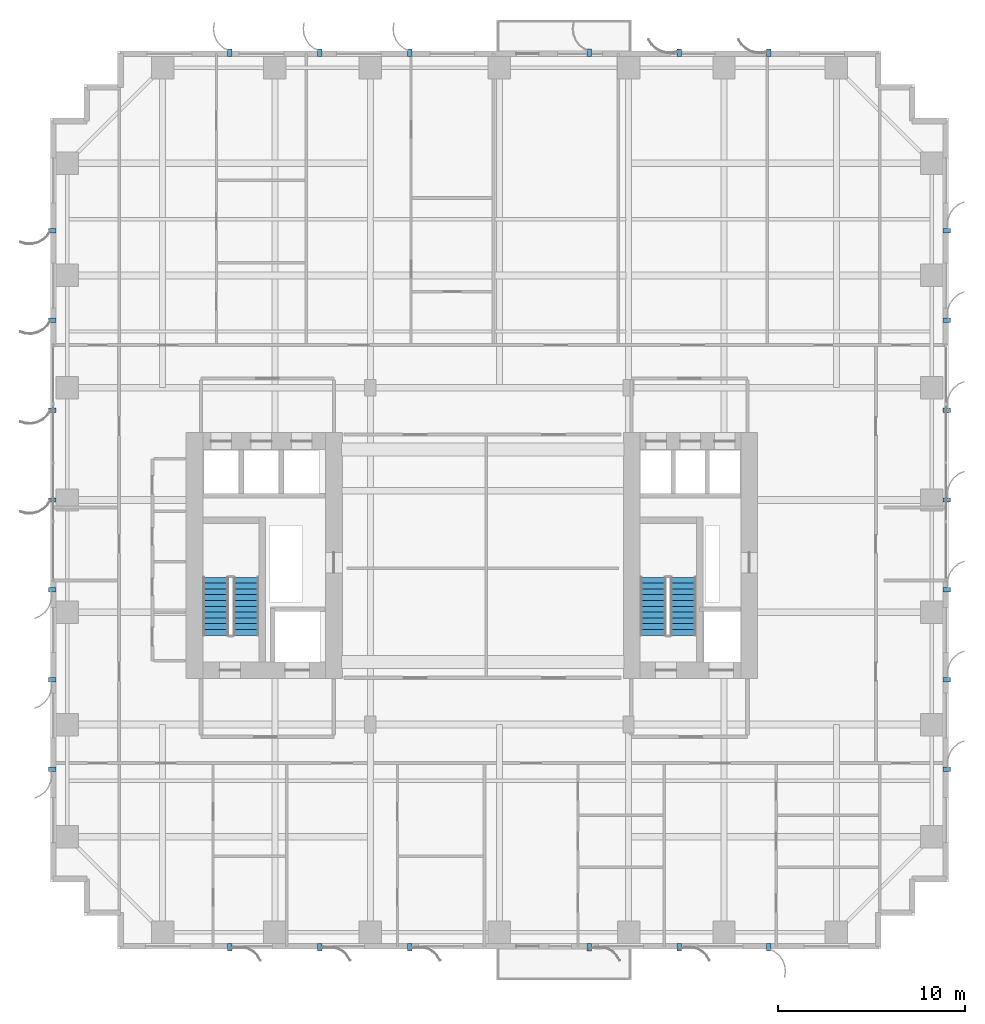
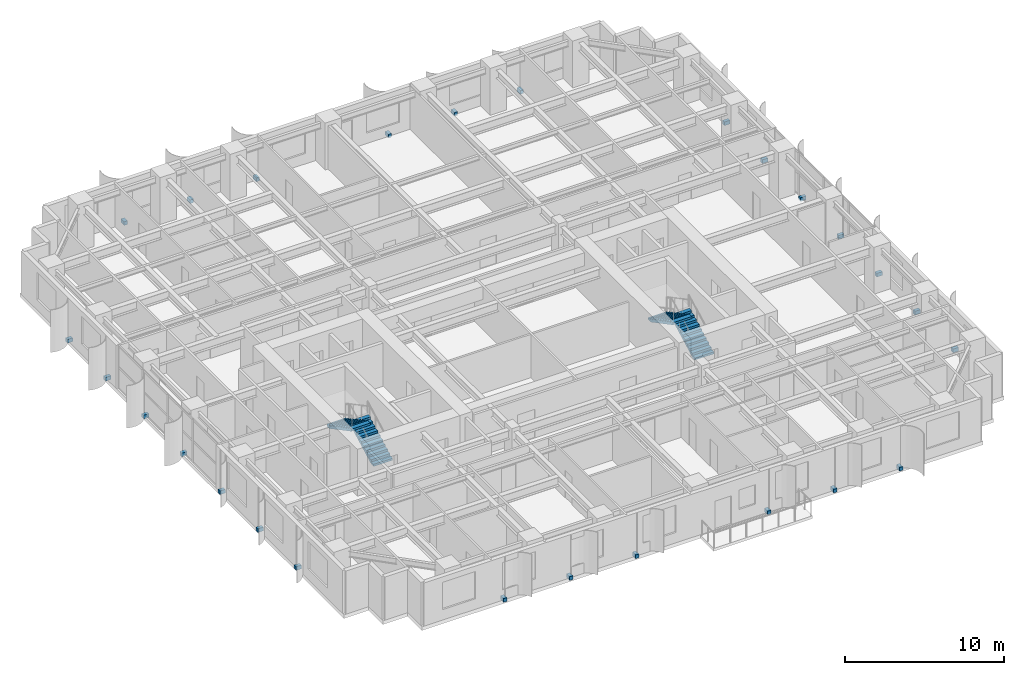
# One storey, part 13 of 17: 26 discrete accessories, 4 stair flights, 2 elements without a shape of their own.
"""IFC4 building model written with IfcOpenShell, lengths in metres."""

from ifc_helpers import new_model, si_unit, direction, frame, origin, origin_2d, place, context, subcontext, project, spatial, polyline, rectangle, outline, extrude, source, transform, mapped, material, type_object, element, aggregate, save


model = new_model("IFC4")

# Units and contexts
model_context = context("Model", 3, precision=1e-05, world=origin(), true_north=direction((0.0, 1.0)))
body_context = subcontext(model_context, "Body", "Model", "MODEL_VIEW")
ifc_project = project(units=[si_unit("LENGTHUNIT", "METRE"), si_unit("AREAUNIT", "SQUARE_METRE"), si_unit("VOLUMEUNIT", "CUBIC_METRE"), si_unit("PLANEANGLEUNIT", "RADIAN"), si_unit("MASSUNIT", "GRAM", prefix="KILO")], contexts=[model_context])

# Site, building, storey
site_placement = place(None, origin())
site = spatial("IfcSite", under=ifc_project, at=site_placement, CompositionType="ELEMENT")
building_placement = place(site_placement, origin())
building = spatial("IfcBuilding", under=site, at=building_placement, Name="Khoralis Quay Care Tower", CompositionType="ELEMENT")
storey_placement = place(building_placement, frame((0.0, 0.0, 58.5)))
storey = spatial("IfcBuildingStorey", under=building, at=storey_placement, Name="L15", CompositionType="ELEMENT", Elevation=58.5)

# Stair, stair flights
ifc_material_1 = material(Name="Precast concrete C45/55", Category="concrete")
stair_type = type_object("IfcStairType", Name="ST-TWR-DOGLEG-1400", PredefinedType="HALF_TURN_STAIR", material=ifc_material_1)
stair_1_placement = place(storey_placement, origin())
stair_1 = element("IfcStair", 1, at=stair_1_placement, inside=storey, type_object=stair_type, Name="L15 West Core Exit Stair ST-T1", PredefinedType="HALF_TURN_STAIR")
stair_flight_type = type_object("IfcStairFlightType", Name="SF-TWR-1400", PredefinedType="STRAIGHT", material=ifc_material_1)
shared_shape_1 = source(origin(), body_context, "Body", "SweptSolid", [
    extrude(outline(polyline([(0.0, 0.0), (0.0, 0.16357421875), (0.31005859375, 0.16357421875), (0.31005859375, 0.327392578125), (0.6201171875, 0.327392578125), (0.6201171875, 0.490966796875), (0.929931640625, 0.490966796875), (0.929931640625, 0.654541015625), (1.239990234375, 0.654541015625), (1.239990234375, 0.818115234375), (1.550048828125, 0.818115234375), (1.550048828125, 0.98193359375), (1.860107421875, 0.98193359375), (1.860107421875, 1.1455078125), (2.169921875, 1.1455078125), (2.169921875, 1.30908203125), (2.47998046875, 1.30908203125), (2.47998046875, 1.47265625), (2.7900390625, 1.47265625), (2.7900390625, 1.636474609375), (3.10009765625, 1.636474609375), (3.10009765625, 1.800048828125), (3.10009765625, 1.466796875), (0.321044921875, 0.0), (0.0, 0.0)])), frame((0.0, 0.68994140625, 0.0), z_axis=(0.0, -1.0, 0.0), x_axis=(1.0, 0.0, 0.0)), (0.0, 0.0, 1.0), 1.3798828125),
])
stair_flight_1_placement = place(storey_placement, frame((10.4599609375, 16.77001953125, 0.0), z_axis=(0.0, 0.0, 1.0), x_axis=(0.0, 1.0, 0.0)))
stair_flight_1 = element("IfcStairFlight", 2, at=stair_flight_1_placement, type_object=stair_flight_type, Name="ST-T1 flight 1", NumberOfRisers=11, NumberOfTreads=10, PredefinedType="STRAIGHT", RiserHeight=0.163636364, TreadLength=0.31, context=body_context, shape_type="MappedRepresentation", body=[
    mapped(shared_shape_1, transform((0.0, 0.0, 0.0), scale=1.0)),
])
stair_flight_2_placement = place(storey_placement, frame((8.840087890625, 19.8701171875, 1.800048828125), z_axis=(0.0, 0.0, 1.0), x_axis=(0.0, -1.0, 0.0)))
stair_flight_2 = element("IfcStairFlight", 3, at=stair_flight_2_placement, type_object=stair_flight_type, Name="ST-T1 flight 2", NumberOfRisers=11, NumberOfTreads=10, PredefinedType="STRAIGHT", RiserHeight=0.163636364, TreadLength=0.31, context=body_context, shape_type="MappedRepresentation", body=[
    mapped(shared_shape_1, transform((0.0, 0.0, 0.0), scale=1.0)),
])
aggregate(stair_1, [stair_flight_1, stair_flight_2])

stair_2_placement = place(storey_placement, origin())
stair_2 = element("IfcStair", 4, at=stair_2_placement, inside=storey, type_object=stair_type, Name="L15 East Core Exit Stair ST-T2", PredefinedType="HALF_TURN_STAIR")
stair_flight_3_placement = place(storey_placement, frame((33.830078125, 16.77001953125, 0.0), z_axis=(0.0, 0.0, 1.0), x_axis=(0.0, 1.0, 0.0)))
stair_flight_3 = element("IfcStairFlight", 5, at=stair_flight_3_placement, type_object=stair_flight_type, Name="ST-T2 flight 1", NumberOfRisers=11, NumberOfTreads=10, PredefinedType="STRAIGHT", RiserHeight=0.163636364, TreadLength=0.31, context=body_context, shape_type="MappedRepresentation", body=[
    mapped(shared_shape_1, transform((0.0, 0.0, 0.0), scale=1.0)),
])
stair_flight_4_placement = place(storey_placement, frame((32.2099609375, 19.8701171875, 1.800048828125), z_axis=(0.0, 0.0, 1.0), x_axis=(0.0, -1.0, 0.0)))
stair_flight_4 = element("IfcStairFlight", 6, at=stair_flight_4_placement, type_object=stair_flight_type, Name="ST-T2 flight 2", NumberOfRisers=11, NumberOfTreads=10, PredefinedType="STRAIGHT", RiserHeight=0.163636364, TreadLength=0.31, context=body_context, shape_type="MappedRepresentation", body=[
    mapped(shared_shape_1, transform((0.0, 0.0, 0.0), scale=1.0)),
])
aggregate(stair_2, [stair_flight_3, stair_flight_4])

# Discrete accessories
ifc_material_2 = material(Name="Brushed stainless steel", Category="steel")
discrete_accessory_type = type_object("IfcDiscreteAccessoryType", Name="ACC-FIN-BRACKET", PredefinedType="BRACKET", material=ifc_material_2)
shared_shape_2 = source(origin(), body_context, "Body", "SweptSolid", [
    extrude(rectangle(XDim=0.39990234375, YDim=0.239990234375, at=origin_2d()), origin(), (0.0, 0.0, 1.0), 0.280029296875),
])
for number, where, z_axis, x_axis, name in (
    (7, (9.60009765625, 0.110107421875, -0.1201171875), (0.0, 0.0, 1.0), (0.0, -1.0, 0.0), "L15 Solar Fin Bracket P1E0-01"),
    (8, (14.39990234375, 0.110107421875, -0.1201171875), (0.0, 0.0, 1.0), (0.0, -1.0, 0.0), "L15 Solar Fin Bracket P1E0-02"),
    (9, (19.199951171875, 0.110107421875, -0.1201171875), (0.0, 0.0, 1.0), (0.0, -1.0, 0.0), "L15 Solar Fin Bracket P1E0-03"),
    (10, (28.800048828125, 0.110107421875, -0.1201171875), (0.0, 0.0, 1.0), (0.0, -1.0, 0.0), "L15 Solar Fin Bracket P1E0-05"),
    (11, (33.60009765625, 0.110107421875, -0.1201171875), (0.0, 0.0, 1.0), (0.0, -1.0, 0.0), "L15 Solar Fin Bracket P1E0-06"),
    (12, (38.39990234375, 0.110107421875, -0.1201171875), (0.0, 0.0, 1.0), (0.0, -1.0, 0.0), "L15 Solar Fin Bracket P1E0-07"),
    (13, (47.889892578125, 9.60009765625, -0.1201171875), (0.0, 0.0, 1.0), (1.0, 0.0, 0.0), "L15 Solar Fin Bracket P1E5-01"),
    (14, (47.889892578125, 14.39990234375, -0.1201171875), (0.0, 0.0, 1.0), (1.0, 0.0, 0.0), "L15 Solar Fin Bracket P1E5-02"),
    (15, (47.889892578125, 19.199951171875, -0.1201171875), (0.0, 0.0, 1.0), (1.0, 0.0, 0.0), "L15 Solar Fin Bracket P1E5-03"),
    (16, (47.889892578125, 24.0, -0.1201171875), (0.0, 0.0, 1.0), (1.0, 0.0, 0.0), "L15 Solar Fin Bracket P1E5-04"),
    (17, (47.889892578125, 28.800048828125, -0.1201171875), (0.0, 0.0, 1.0), (1.0, 0.0, 0.0), "L15 Solar Fin Bracket P1E5-05"),
    (18, (47.889892578125, 33.60009765625, -0.1201171875), (0.0, 0.0, 1.0), (1.0, 0.0, 0.0), "L15 Solar Fin Bracket P1E5-06"),
    (19, (47.889892578125, 38.39990234375, -0.1201171875), (0.0, 0.0, 1.0), (1.0, 0.0, 0.0), "L15 Solar Fin Bracket P1E5-07"),
    (20, (38.39990234375, 47.889892578125, -0.1201171875), (0.0, 0.0, 1.0), (0.0, 1.0, 0.0), "L15 Solar Fin Bracket P1E10-01"),
    (21, (33.60009765625, 47.889892578125, -0.1201171875), (0.0, 0.0, 1.0), (0.0, 1.0, 0.0), "L15 Solar Fin Bracket P1E10-02"),
    (22, (28.800048828125, 47.889892578125, -0.1201171875), (0.0, 0.0, 1.0), (0.0, 1.0, 0.0), "L15 Solar Fin Bracket P1E10-03"),
    (23, (19.199951171875, 47.889892578125, -0.1201171875), (0.0, 0.0, 1.0), (0.0, 1.0, 0.0), "L15 Solar Fin Bracket P1E10-05"),
    (24, (14.39990234375, 47.889892578125, -0.1201171875), (0.0, 0.0, 1.0), (0.0, 1.0, 0.0), "L15 Solar Fin Bracket P1E10-06"),
    (25, (9.60009765625, 47.889892578125, -0.1201171875), (0.0, 0.0, 1.0), (0.0, 1.0, 0.0), "L15 Solar Fin Bracket P1E10-07"),
    (26, (0.110107421875, 38.39990234375, -0.1201171875), (0.0, 0.0, 1.0), (-1.0, 0.0, 0.0), "L15 Solar Fin Bracket P1E15-01"),
    (27, (0.110107421875, 33.60009765625, -0.1201171875), (0.0, 0.0, 1.0), (-1.0, 0.0, 0.0), "L15 Solar Fin Bracket P1E15-02"),
    (28, (0.110107421875, 28.800048828125, -0.1201171875), (0.0, 0.0, 1.0), (-1.0, 0.0, 0.0), "L15 Solar Fin Bracket P1E15-03"),
    (29, (0.110107421875, 24.0, -0.1201171875), (0.0, 0.0, 1.0), (-1.0, 0.0, 0.0), "L15 Solar Fin Bracket P1E15-04"),
    (30, (0.110107421875, 19.199951171875, -0.1201171875), (0.0, 0.0, 1.0), (-1.0, 0.0, 0.0), "L15 Solar Fin Bracket P1E15-05"),
    (31, (0.110107421875, 14.39990234375, -0.1201171875), (0.0, 0.0, 1.0), (-1.0, 0.0, 0.0), "L15 Solar Fin Bracket P1E15-06"),
    (32, (0.110107421875, 9.60009765625, -0.1201171875), (0.0, 0.0, 1.0), (-1.0, 0.0, 0.0), "L15 Solar Fin Bracket P1E15-07"),
):
    element("IfcDiscreteAccessory", number, at=place(storey_placement, frame(where, z_axis=z_axis, x_axis=x_axis)), inside=storey, type_object=discrete_accessory_type, Name=name, PredefinedType="BRACKET", context=body_context, shape_type="MappedRepresentation", body=[
        mapped(shared_shape_2, transform((0.0, 0.0, 0.0), scale=1.0)),
    ])

save(model, "model.ifc")
